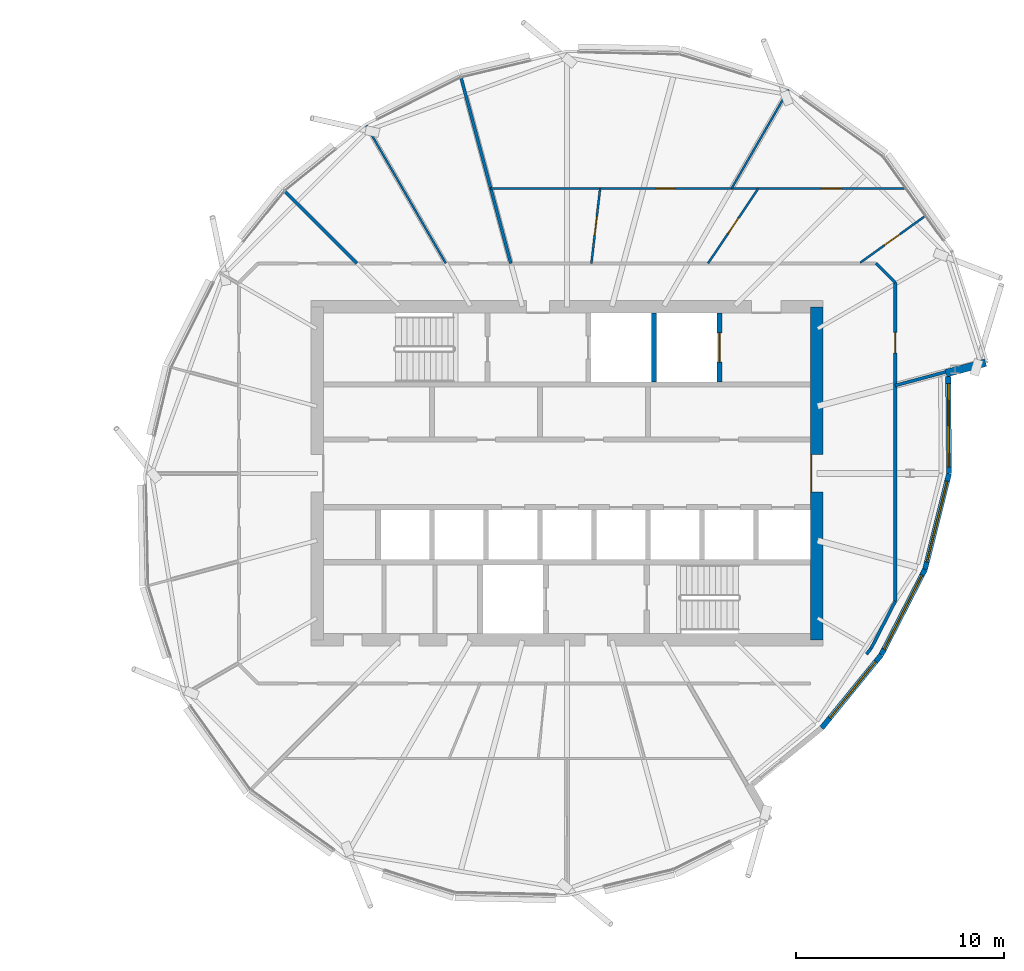
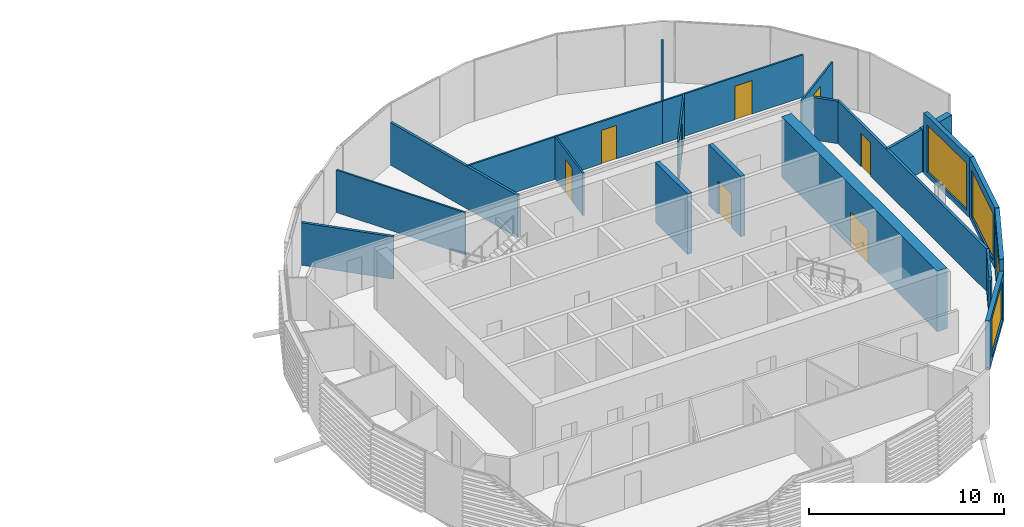
# One storey, part 23 of 36: 22 walls, 8 doors, 4 windows, 12 openings.
"""IFC4 building model written with IfcOpenShell, lengths in metres."""

from ifc_helpers import new_model, si_unit, direction, frame, frame_2d, origin, place, context, subcontext, project, spatial, rectangle, extrude, material, layer, layer_set, type_object, element, fill, save


model = new_model("IFC4")

# Units and contexts
model_context = context("Model", 3, precision=1e-05, world=origin(), true_north=direction((0.0, 1.0)))
body_context = subcontext(model_context, "Body", "Model", "MODEL_VIEW")
ifc_project = project(units=[si_unit("LENGTHUNIT", "METRE"), si_unit("AREAUNIT", "SQUARE_METRE"), si_unit("VOLUMEUNIT", "CUBIC_METRE"), si_unit("PLANEANGLEUNIT", "RADIAN"), si_unit("MASSUNIT", "GRAM", prefix="KILO")], contexts=[model_context])

# Site, building, storey
site_placement = place(None, origin())
site = spatial("IfcSite", under=ifc_project, at=site_placement, CompositionType="ELEMENT")
building_placement = place(site_placement, origin())
building = spatial("IfcBuilding", under=site, at=building_placement, Name="Rimbun Link Towers", CompositionType="ELEMENT")
storey_placement = place(building_placement, frame((0.0, 0.0, 200.699951171875)))
storey = spatial("IfcBuildingStorey", under=building, at=storey_placement, Name="L49", CompositionType="ELEMENT", Elevation=200.699951171875)

# Wall, opening, window
ifc_material_1 = material(Name="Dark enamelled glass spandrel on insulated aluminium backpan", Category="aluminium")
ifc_layer_1 = layer(ifc_material_1, 0.25)
ifc_layer_set_1 = layer_set([ifc_layer_1], Name="CS dark enamelled spandrel wall 250")
wall_type_1 = type_object("IfcWallType", Name="CS dark enamelled spandrel wall 250", PredefinedType="STANDARD", material=ifc_layer_set_1)
wall_1_placement = place(storey_placement, frame((46.84912109375, -8.725341796875, 0.0), z_axis=(0.0, 0.0, 1.0), x_axis=(-0.63152540021, -0.775355188858, 0.0)))
wall_1 = element("IfcWall", 1, at=wall_1_placement, inside=storey, type_object=wall_type_1, Name="Crease spandrel wall", PredefinedType="STANDARD", context=body_context, shape_type="SweptSolid", body=[
    extrude(rectangle(XDim=4.530517578125, YDim=0.25, at=frame_2d((2.26513671875, 0.0))), origin(), (0.0, 0.0, 1.0), 3.05712890625),
])
opening_1_placement = place(wall_1_placement, frame((0.404296875, 0.0, 0.300048828125)))
opening_1 = element("IfcOpeningElement", 2, at=opening_1_placement, cuts=wall_1, Name="Opening WR35H245", PredefinedType="OPENING", context=body_context, shape_type="SweptSolid", body=[
    extrude(rectangle(XDim=3.5, YDim=2.449951171875, at=frame_2d((1.75, 1.22509765625))), frame((0.0, 0.135009765625, 0.0), z_axis=(0.0, -1.0, 0.0), x_axis=(1.0, 0.0, 0.0)), (0.0, 0.0, 1.0), 0.27001953125),
])
ifc_material_2 = material(Name="Aluminium framed fixed window, dark tinted low-e glass", Category="aluminium")
window_type_1 = type_object("IfcWindowType", Name="WR ribbon window 3500X2450", PartitioningType="SINGLE_PANEL", PredefinedType="WINDOW", material=ifc_material_2)
window_1_placement = place(opening_1_placement, origin())
window_1 = element("IfcWindow", 3, at=window_1_placement, inside=storey, type_object=window_type_1, Name="Crease ribbon window", OverallHeight=2.449951171875, OverallWidth=3.5, PartitioningType="SINGLE_PANEL", PredefinedType="WINDOW", context=body_context, shape_type="SweptSolid", body=[
    extrude(rectangle(XDim=3.5, YDim=2.449951171875, at=frame_2d((1.75, 1.22509765625))), frame((0.0, 0.030029296875, 0.0), z_axis=(0.0, -1.0, 0.0), x_axis=(1.0, 0.0, 0.0)), (0.0, 0.0, 1.0), 0.06005859375),
])
fill(opening_1, window_1)

wall_2_placement = place(storey_placement, frame((48.952392578125, -4.6220703125, 0.0), z_axis=(0.0, 0.0, 1.0), x_axis=(-0.456150021811, -0.889902892232, 0.0)))
wall_2 = element("IfcWall", 4, at=wall_2_placement, inside=storey, type_object=wall_type_1, Name="Crease spandrel wall", PredefinedType="STANDARD", context=body_context, shape_type="SweptSolid", body=[
    extrude(rectangle(XDim=4.61083984375, YDim=0.25, at=frame_2d((2.305419921875, 0.0))), origin(), (0.0, 0.0, 1.0), 3.800048828125),
])
opening_2_placement = place(wall_2_placement, frame((0.305419921875, 0.0, 0.300048828125)))
opening_2 = element("IfcOpeningElement", 5, at=opening_2_placement, cuts=wall_2, Name="Opening WR40H295", PredefinedType="OPENING", context=body_context, shape_type="SweptSolid", body=[
    extrude(rectangle(XDim=4.0, YDim=2.949951171875, at=frame_2d((2.0, 1.47509765625))), frame((0.0, 0.135009765625, 0.0), z_axis=(0.0, -1.0, 0.0), x_axis=(1.0, 0.0, 0.0)), (0.0, 0.0, 1.0), 0.27001953125),
])
ifc_material_3 = material(Name="Aluminium framed fixed window, dark tinted low-e glass", Category="aluminium")
window_type_2 = type_object("IfcWindowType", Name="WR ribbon window 4000X2950", PartitioningType="SINGLE_PANEL", PredefinedType="WINDOW", material=ifc_material_3)
window_2_placement = place(opening_2_placement, origin())
window_2 = element("IfcWindow", 6, at=window_2_placement, inside=storey, type_object=window_type_2, Name="Crease ribbon window", OverallHeight=2.949951171875, OverallWidth=4.0, PartitioningType="SINGLE_PANEL", PredefinedType="WINDOW", context=body_context, shape_type="SweptSolid", body=[
    extrude(rectangle(XDim=4.0, YDim=2.949951171875, at=frame_2d((2.0, 1.47509765625))), frame((0.0, 0.030029296875, 0.0), z_axis=(0.0, -1.0, 0.0), x_axis=(1.0, 0.0, 0.0)), (0.0, 0.0, 1.0), 0.06005859375),
])
fill(opening_2, window_2)

wall_3_placement = place(storey_placement, frame((50.1103515625, -0.014892578125, 0.0), z_axis=(0.0, 0.0, 1.0), x_axis=(-0.243756771227, -0.96983639676, 0.0)))
wall_3 = element("IfcWall", 7, at=wall_3_placement, inside=storey, type_object=wall_type_1, Name="Crease spandrel wall", PredefinedType="STANDARD", context=body_context, shape_type="SweptSolid", body=[
    extrude(rectangle(XDim=4.75048828125, YDim=0.25, at=frame_2d((2.375244140625, 0.0))), origin(), (0.0, 0.0, 1.0), 3.800048828125),
])
opening_3_placement = place(wall_3_placement, frame((0.375244140625, 0.0, 0.300048828125)))
opening_3 = element("IfcOpeningElement", 8, at=opening_3_placement, cuts=wall_3, Name="Opening WR40H295", PredefinedType="OPENING", context=body_context, shape_type="SweptSolid", body=[
    extrude(rectangle(XDim=4.0, YDim=2.949951171875, at=frame_2d((2.0, 1.47509765625))), frame((0.0, 0.135009765625, 0.0), z_axis=(0.0, -1.0, 0.0), x_axis=(1.0, 0.0, 0.0)), (0.0, 0.0, 1.0), 0.27001953125),
])
window_3_placement = place(opening_3_placement, origin())
window_3 = element("IfcWindow", 9, at=window_3_placement, inside=storey, type_object=window_type_2, Name="Crease ribbon window", OverallHeight=2.949951171875, OverallWidth=4.0, PartitioningType="SINGLE_PANEL", PredefinedType="WINDOW", context=body_context, shape_type="SweptSolid", body=[
    extrude(rectangle(XDim=4.0, YDim=2.949951171875, at=frame_2d((2.0, 1.47509765625))), frame((0.0, 0.030029296875, 0.0), z_axis=(0.0, -1.0, 0.0), x_axis=(1.0, 0.0, 0.0)), (0.0, 0.0, 1.0), 0.06005859375),
])
fill(opening_3, window_3)

wall_4_placement = place(storey_placement, frame((50.066650390625, 4.649169921875, 0.0), z_axis=(0.0, 0.0, 1.0), x_axis=(0.009369354224, -0.999956106637, 0.0)))
wall_4 = element("IfcWall", 10, at=wall_4_placement, inside=storey, type_object=wall_type_1, Name="Crease spandrel wall", PredefinedType="STANDARD", context=body_context, shape_type="SweptSolid", body=[
    extrude(rectangle(XDim=4.664306640625, YDim=0.25, at=frame_2d((2.33203125, 0.0))), origin(), (0.0, 0.0, 1.0), 3.800048828125),
])
opening_4_placement = place(wall_4_placement, frame((0.33203125, 0.0, 0.300048828125)))
opening_4 = element("IfcOpeningElement", 11, at=opening_4_placement, cuts=wall_4, Name="Opening WR40H295", PredefinedType="OPENING", context=body_context, shape_type="SweptSolid", body=[
    extrude(rectangle(XDim=4.0, YDim=2.949951171875, at=frame_2d((2.0, 1.47509765625))), frame((0.0, 0.135009765625, 0.0), z_axis=(0.0, -1.0, 0.0), x_axis=(1.0, 0.0, 0.0)), (0.0, 0.0, 1.0), 0.27001953125),
])
window_4_placement = place(opening_4_placement, origin())
window_4 = element("IfcWindow", 12, at=window_4_placement, inside=storey, type_object=window_type_2, Name="Crease ribbon window", OverallHeight=2.949951171875, OverallWidth=4.0, PartitioningType="SINGLE_PANEL", PredefinedType="WINDOW", context=body_context, shape_type="SweptSolid", body=[
    extrude(rectangle(XDim=4.0, YDim=2.949951171875, at=frame_2d((2.0, 1.47509765625))), frame((0.0, 0.030029296875, 0.0), z_axis=(0.0, -1.0, 0.0), x_axis=(1.0, 0.0, 0.0)), (0.0, 0.0, 1.0), 0.06005859375),
])
fill(opening_4, window_4)

# Wall
ifc_material_4 = material(Name="Dark enamelled glass spandrel on insulated aluminium backpan", Category="aluminium")
ifc_layer_2 = layer(ifc_material_4, 0.3701171875)
ifc_layer_set_2 = layer_set([ifc_layer_2], Name="CS dark enamelled spandrel wall 370")
wall_type_2 = type_object("IfcWallType", Name="CS dark enamelled spandrel wall 370", PredefinedType="STANDARD", material=ifc_layer_set_2)
wall_5_placement = place(storey_placement, frame((51.868896484375, 5.323486328125, 0.0), z_axis=(0.0, 0.0, 1.0), x_axis=(-0.965921079275, -0.258836760551, 0.0)))
element("IfcWall", 13, at=wall_5_placement, inside=storey, type_object=wall_type_2, Name="Crease spandrel wall", PredefinedType="STANDARD", context=body_context, shape_type="SweptSolid", body=[
    extrude(rectangle(XDim=1.979736328125, YDim=0.3701171875, at=frame_2d((0.98974609375, 0.0))), origin(), (0.0, 0.0, 1.0), 2.671630859375),
])

# Wall, opening, door
ifc_material_5 = material(Name="Concrete C60/75", Category="concrete")
ifc_layer_3 = layer(ifc_material_5, 0.60009765625)
ifc_layer_set_3 = layer_set([ifc_layer_3], Name="Core shear wall 600")
wall_type_3 = type_object("IfcWallType", Name="Core shear wall 600", PredefinedType="SHEAR", material=ifc_layer_set_3)
wall_6_placement = place(storey_placement, frame((43.75, -8.0, 0.0), z_axis=(0.0, 0.0, 1.0), x_axis=(0.0, 1.0, 0.0)))
wall_6 = element("IfcWall", 14, at=wall_6_placement, inside=storey, type_object=wall_type_3, Name="L49 T2 core wall E", PredefinedType="SHEAR", context=body_context, shape_type="SweptSolid", body=[
    extrude(rectangle(XDim=16.0, YDim=0.60009765625, at=frame_2d((8.0, 0.0))), origin(), (0.0, 0.0, 1.0), 3.800048828125),
])
opening_5_placement = place(wall_6_placement, frame((7.10009765625, 0.0, 0.0)))
opening_5 = element("IfcOpeningElement", 15, at=opening_5_placement, cuts=wall_6, Name="Opening C2DCL01E", PredefinedType="OPENING", context=body_context, shape_type="SweptSolid", body=[
    extrude(rectangle(XDim=1.800048828125, YDim=2.10009765625, at=frame_2d((0.89990234375, 1.050048828125))), frame((0.0, 0.31005859375, 0.0), z_axis=(0.0, -1.0, 0.0), x_axis=(1.0, 0.0, 0.0)), (0.0, 0.0, 1.0), 0.6201171875),
])
ifc_material_6 = material(Name="Steel fire door set", Category="steel")
door_type_1 = type_object("IfcDoorType", Name="Core lobby door double", OperationType="DOUBLE_DOOR_SINGLE_SWING", PredefinedType="DOOR", material=ifc_material_6)
door_1_placement = place(opening_5_placement, origin())
door_1 = element("IfcDoor", 16, at=door_1_placement, inside=storey, type_object=door_type_1, Name="L49 T2 lift lobby door", OperationType="DOUBLE_DOOR_SINGLE_SWING", OverallHeight=2.10009765625, OverallWidth=1.800048828125, PredefinedType="DOOR", context=body_context, shape_type="SweptSolid", body=[
    extrude(rectangle(XDim=1.800048828125, YDim=2.10009765625, at=frame_2d((0.89990234375, 1.050048828125))), frame((0.0, 0.2998046875, 0.0), z_axis=(0.0, -1.0, 0.0), x_axis=(1.0, 0.0, 0.0)), (0.0, 0.0, 1.0), 0.050048828125),
])
fill(opening_5, door_1)

ifc_material_7 = material(Name="Plasterboard on steel stud, mineral wool", Category="steel")
ifc_layer_4 = layer(ifc_material_7, 0.14990234375)
ifc_layer_set_4 = layer_set([ifc_layer_4], Name="Corridor wall EI 30 150 mm")
wall_type_4 = type_object("IfcWallType", Name="Corridor wall EI 30 150 mm", PredefinedType="PARTITIONING", material=ifc_layer_set_4)
wall_7_placement = place(storey_placement, frame((47.52490234375, 9.173583984375, 0.0), z_axis=(0.0, 0.0, 1.0), x_axis=(0.0, -1.0, 0.0)))
wall_7 = element("IfcWall", 17, at=wall_7_placement, inside=storey, type_object=wall_type_4, Name="Corridor wall EI 30 150 mm", PredefinedType="PARTITIONING", context=body_context, shape_type="SweptSolid", body=[
    extrude(rectangle(XDim=15.31982421875, YDim=0.14990234375, at=frame_2d((7.659912109375, 0.0))), origin(), (0.0, 0.0, 1.0), 2.662109375),
])
opening_6_placement = place(wall_7_placement, frame((2.395263671875, 0.0, 0.0)))
opening_6 = element("IfcOpeningElement", 18, at=opening_6_placement, cuts=wall_7, Name="Opening D01", PredefinedType="OPENING", context=body_context, shape_type="SweptSolid", body=[
    extrude(rectangle(XDim=1.0, YDim=2.10009765625, at=frame_2d((0.5, 1.050048828125))), frame((0.0, 0.0849609375, 0.0), z_axis=(0.0, -1.0, 0.0), x_axis=(1.0, 0.0, 0.0)), (0.0, 0.0, 1.0), 0.169921875),
])
ifc_material_8 = material(Name="Fire-resisting timber door leaf", Category="wood")
door_type_2 = type_object("IfcDoorType", Name="Fire door FD30S 1000", OperationType="NOTDEFINED", PredefinedType="DOOR", material=ifc_material_8)
door_2_placement = place(opening_6_placement, origin())
door_2 = element("IfcDoor", 19, at=door_2_placement, inside=storey, type_object=door_type_2, Name="Fire door FD30S 1000 to Tenant lobby", OperationType="SINGLE_SWING_LEFT", OverallHeight=2.10009765625, OverallWidth=1.0, PredefinedType="DOOR", context=body_context, shape_type="SweptSolid", body=[
    extrude(rectangle(XDim=1.0, YDim=2.10009765625, at=frame_2d((0.5, 1.050048828125))), frame((0.0, 0.02490234375, 0.0), z_axis=(0.0, -1.0, 0.0), x_axis=(1.0, 0.0, 0.0)), (0.0, 0.0, 1.0), 0.050048828125),
])
fill(opening_6, door_2)

# Walls
wall_8_placement = place(storey_placement, frame((46.364990234375, -8.4091796875, 0.0), z_axis=(0.0, 0.0, 1.0), x_axis=(0.45613926408, 0.88990840639, 0.0)))
element("IfcWall", 20, at=wall_8_placement, inside=storey, type_object=wall_type_4, Name="Corridor wall EI 30 150 mm", PredefinedType="PARTITIONING", context=body_context, shape_type="SweptSolid", body=[
    extrude(rectangle(XDim=2.54296875, YDim=0.14990234375, at=frame_2d((1.271484375, 0.0))), origin(), (0.0, 0.0, 1.0), 2.662109375),
])
wall_9_placement = place(storey_placement, frame((46.136962890625, -8.689208984375, 0.0), z_axis=(0.0, 0.0, 1.0), x_axis=(0.631432150482, 0.775431131267, 0.0)))
element("IfcWall", 21, at=wall_9_placement, inside=storey, type_object=wall_type_4, Name="Corridor wall EI 30 150 mm", PredefinedType="PARTITIONING", context=body_context, shape_type="SweptSolid", body=[
    extrude(rectangle(XDim=0.361083984375, YDim=0.14990234375, at=frame_2d((0.1806640625, 0.0))), origin(), (0.0, 0.0, 1.0), 2.662109375),
])
wall_10_placement = place(storey_placement, frame((47.52490234375, 9.173583984375, 0.0), z_axis=(0.0, 0.0, 1.0), x_axis=(-0.707013081223, 0.707200468735, 0.0)))
element("IfcWall", 22, at=wall_10_placement, inside=storey, type_object=wall_type_4, Name="Corridor wall EI 30 150 mm", PredefinedType="PARTITIONING", context=body_context, shape_type="SweptSolid", body=[
    extrude(rectangle(XDim=1.302978515625, YDim=0.14990234375, at=frame_2d((0.6513671875, 0.0))), origin(), (0.0, 0.0, 1.0), 2.662109375),
])

# Wall, opening, door
ifc_material_9 = material(Name="Plasterboard on steel stud", Category="steel")
ifc_layer_5 = layer(ifc_material_9, 0.10009765625)
ifc_layer_set_5 = layer_set([ifc_layer_5], Name="Plasterboard partition 100 mm")
wall_type_5 = type_object("IfcWallType", Name="Plasterboard partition 100 mm", PredefinedType="PARTITIONING", material=ifc_layer_set_5)
wall_11_placement = place(storey_placement, frame((45.835693359375, 10.125, 0.0), z_axis=(0.0, 0.0, 1.0), x_axis=(0.812012555173, 0.583639966282, 0.0)))
wall_11 = element("IfcWall", 23, at=wall_11_placement, inside=storey, type_object=wall_type_5, Name="Plasterboard partition 100 mm", PredefinedType="PARTITIONING", context=body_context, shape_type="SweptSolid", body=[
    extrude(rectangle(XDim=3.851806640625, YDim=0.10009765625, at=frame_2d((1.92578125, 0.0))), origin(), (0.0, 0.0, 1.0), 2.662109375),
])
opening_7_placement = place(wall_11_placement, frame((1.4501953125, 0.0, 0.0)))
opening_7 = element("IfcOpeningElement", 24, at=opening_7_placement, cuts=wall_11, Name="Opening D04", PredefinedType="OPENING", context=body_context, shape_type="SweptSolid", body=[
    extrude(rectangle(XDim=0.89990234375, YDim=2.10009765625, at=frame_2d((0.449951171875, 1.050048828125))), frame((0.0, 0.06005859375, 0.0), z_axis=(0.0, -1.0, 0.0), x_axis=(1.0, 0.0, 0.0)), (0.0, 0.0, 1.0), 0.1201171875),
])
ifc_material_10 = material(Name="Timber door leaf", Category="wood")
door_type_3 = type_object("IfcDoorType", Name="Flush door 900", OperationType="NOTDEFINED", PredefinedType="DOOR", material=ifc_material_10)
door_3_placement = place(opening_7_placement, origin())
door_3 = element("IfcDoor", 25, at=door_3_placement, inside=storey, type_object=door_type_3, Name="Flush door 900 to Huddle room", OperationType="SINGLE_SWING_RIGHT", OverallHeight=2.10009765625, OverallWidth=0.89990234375, PredefinedType="DOOR", context=body_context, shape_type="SweptSolid", body=[
    extrude(rectangle(XDim=0.89990234375, YDim=2.10009765625, at=frame_2d((0.449951171875, 1.050048828125))), frame((0.0, 0.02490234375, 0.0), z_axis=(0.0, -1.0, 0.0), x_axis=(1.0, 0.0, 0.0)), (0.0, 0.0, 1.0), 0.050048828125),
])
fill(opening_7, door_3)

wall_12_placement = place(storey_placement, frame((38.525146484375, 10.094970703125, 0.0), z_axis=(0.0, 0.0, 1.0), x_axis=(0.557244545646, 0.830348430689, 0.0)))
wall_12 = element("IfcWall", 26, at=wall_12_placement, inside=storey, type_object=wall_type_5, Name="Plasterboard partition 100 mm", PredefinedType="PARTITIONING", context=body_context, shape_type="SweptSolid", body=[
    extrude(rectangle(XDim=4.335693359375, YDim=0.10009765625, at=frame_2d((2.16796875, 0.0))), origin(), (0.0, 0.0, 1.0), 2.662109375),
])
opening_8_placement = place(wall_12_placement, frame((1.7177734375, 0.0, 0.0)))
opening_8 = element("IfcOpeningElement", 27, at=opening_8_placement, cuts=wall_12, Name="Opening D04", PredefinedType="OPENING", context=body_context, shape_type="SweptSolid", body=[
    extrude(rectangle(XDim=0.89990234375, YDim=2.10009765625, at=frame_2d((0.449951171875, 1.050048828125))), frame((0.0, 0.06005859375, 0.0), z_axis=(0.0, -1.0, 0.0), x_axis=(1.0, 0.0, 0.0)), (0.0, 0.0, 1.0), 0.1201171875),
])
door_4_placement = place(opening_8_placement, origin())
door_4 = element("IfcDoor", 28, at=door_4_placement, inside=storey, type_object=door_type_3, Name="Flush door 900 to Huddle room", OperationType="SINGLE_SWING_RIGHT", OverallHeight=2.10009765625, OverallWidth=0.89990234375, PredefinedType="DOOR", context=body_context, shape_type="SweptSolid", body=[
    extrude(rectangle(XDim=0.89990234375, YDim=2.10009765625, at=frame_2d((0.449951171875, 1.050048828125))), frame((0.0, 0.02490234375, 0.0), z_axis=(0.0, -1.0, 0.0), x_axis=(1.0, 0.0, 0.0)), (0.0, 0.0, 1.0), 0.050048828125),
])
fill(opening_8, door_4)

wall_13_placement = place(storey_placement, frame((39.65673828125, 13.695068359375, 0.0), z_axis=(0.0, 0.0, 1.0), x_axis=(1.0, 0.0, 0.0)))
wall_13 = element("IfcWall", 29, at=wall_13_placement, inside=storey, type_object=wall_type_5, Name="Plasterboard partition 100 mm", PredefinedType="PARTITIONING", context=body_context, shape_type="SweptSolid", body=[
    extrude(rectangle(XDim=8.35791015625, YDim=0.10009765625, at=frame_2d((4.178955078125, 0.0))), origin(), (0.0, 0.0, 1.0), 2.662109375),
])
opening_9_placement = place(wall_13_placement, frame((4.302978515625, 0.0, 0.0)))
opening_9 = element("IfcOpeningElement", 30, at=opening_9_placement, cuts=wall_13, Name="Opening D03", PredefinedType="OPENING", context=body_context, shape_type="SweptSolid", body=[
    extrude(rectangle(XDim=1.0, YDim=2.10009765625, at=frame_2d((0.5, 1.050048828125))), frame((0.0, 0.06005859375, 0.0), z_axis=(0.0, -1.0, 0.0), x_axis=(1.0, 0.0, 0.0)), (0.0, 0.0, 1.0), 0.1201171875),
])
ifc_material_11 = material(Name="Timber door leaf", Category="wood")
door_type_4 = type_object("IfcDoorType", Name="Flush door 1000", OperationType="NOTDEFINED", PredefinedType="DOOR", material=ifc_material_11)
door_5_placement = place(opening_9_placement, origin())
door_5 = element("IfcDoor", 31, at=door_5_placement, inside=storey, type_object=door_type_4, Name="Flush door 1000 to Open office", OperationType="SINGLE_SWING_RIGHT", OverallHeight=2.10009765625, OverallWidth=1.0, PredefinedType="DOOR", context=body_context, shape_type="SweptSolid", body=[
    extrude(rectangle(XDim=1.0, YDim=2.10009765625, at=frame_2d((0.5, 1.050048828125))), frame((0.0, 0.02490234375, 0.0), z_axis=(0.0, -1.0, 0.0), x_axis=(1.0, 0.0, 0.0)), (0.0, 0.0, 1.0), 0.050048828125),
])
fill(opening_9, door_5)

wall_14_placement = place(storey_placement, frame((32.919921875, 10.094970703125, 0.0), z_axis=(0.0, 0.0, 1.0), x_axis=(0.11512524295, 0.993350984514, 0.0)))
wall_14 = element("IfcWall", 32, at=wall_14_placement, inside=storey, type_object=wall_type_5, Name="Plasterboard partition 100 mm", PredefinedType="PARTITIONING", context=body_context, shape_type="SweptSolid", body=[
    extrude(rectangle(XDim=3.624267578125, YDim=0.10009765625, at=frame_2d((1.81201171875, 0.0))), origin(), (0.0, 0.0, 1.0), 2.662109375),
])
opening_10_placement = place(wall_14_placement, frame((1.362060546875, 0.0, 0.0)))
opening_10 = element("IfcOpeningElement", 33, at=opening_10_placement, cuts=wall_14, Name="Opening D04", PredefinedType="OPENING", context=body_context, shape_type="SweptSolid", body=[
    extrude(rectangle(XDim=0.89990234375, YDim=2.10009765625, at=frame_2d((0.449951171875, 1.050048828125))), frame((0.0, 0.06005859375, 0.0), z_axis=(0.0, -1.0, 0.0), x_axis=(1.0, 0.0, 0.0)), (0.0, 0.0, 1.0), 0.1201171875),
])
door_6_placement = place(opening_10_placement, origin())
door_6 = element("IfcDoor", 34, at=door_6_placement, inside=storey, type_object=door_type_3, Name="Flush door 900 to Pantry", OperationType="SINGLE_SWING_LEFT", OverallHeight=2.10009765625, OverallWidth=0.89990234375, PredefinedType="DOOR", context=body_context, shape_type="SweptSolid", body=[
    extrude(rectangle(XDim=0.89990234375, YDim=2.10009765625, at=frame_2d((0.449951171875, 1.050048828125))), frame((0.0, 0.02490234375, 0.0), z_axis=(0.0, -1.0, 0.0), x_axis=(1.0, 0.0, 0.0)), (0.0, 0.0, 1.0), 0.050048828125),
])
fill(opening_10, door_6)

wall_15_placement = place(storey_placement, frame((28.08056640625, 13.695068359375, 0.0), z_axis=(0.0, 0.0, 1.0), x_axis=(1.0, 0.0, 0.0)))
wall_15 = element("IfcWall", 35, at=wall_15_placement, inside=storey, type_object=wall_type_5, Name="Plasterboard partition 100 mm", PredefinedType="PARTITIONING", context=body_context, shape_type="SweptSolid", body=[
    extrude(rectangle(XDim=11.576171875, YDim=0.10009765625, at=frame_2d((5.7880859375, 0.0))), origin(), (0.0, 0.0, 1.0), 2.662109375),
])
opening_11_placement = place(wall_15_placement, frame((7.951416015625, 0.0, 0.0)))
opening_11 = element("IfcOpeningElement", 36, at=opening_11_placement, cuts=wall_15, Name="Opening D04", PredefinedType="OPENING", context=body_context, shape_type="SweptSolid", body=[
    extrude(rectangle(XDim=0.89990234375, YDim=2.10009765625, at=frame_2d((0.449951171875, 1.050048828125))), frame((0.0, 0.06005859375, 0.0), z_axis=(0.0, -1.0, 0.0), x_axis=(1.0, 0.0, 0.0)), (0.0, 0.0, 1.0), 0.1201171875),
])
door_7_placement = place(opening_11_placement, origin())
door_7 = element("IfcDoor", 37, at=door_7_placement, inside=storey, type_object=door_type_3, Name="Flush door 900 to Project room", OperationType="SINGLE_SWING_LEFT", OverallHeight=2.10009765625, OverallWidth=0.89990234375, PredefinedType="DOOR", context=body_context, shape_type="SweptSolid", body=[
    extrude(rectangle(XDim=0.89990234375, YDim=2.10009765625, at=frame_2d((0.449951171875, 1.050048828125))), frame((0.0, 0.02490234375, 0.0), z_axis=(0.0, -1.0, 0.0), x_axis=(1.0, 0.0, 0.0)), (0.0, 0.0, 1.0), 0.050048828125),
])
fill(opening_11, door_7)

# Walls
wall_16_placement = place(storey_placement, frame((42.4013671875, 18.44873046875, 0.0), z_axis=(0.0, 0.0, 1.0), x_axis=(-0.500013773731, -0.866017451371, 0.0)))
element("IfcWall", 38, at=wall_16_placement, inside=storey, type_object=wall_type_5, Name="Plasterboard partition 100 mm", PredefinedType="PARTITIONING", context=body_context, shape_type="SweptSolid", body=[
    extrude(rectangle(XDim=5.489013671875, YDim=0.10009765625, at=frame_2d((2.74462890625, 0.0))), origin(), (0.0, 0.0, 1.0), 2.662109375),
])
wall_17_placement = place(storey_placement, frame((22.09326171875, 16.725830078125, 0.0), z_axis=(0.0, 0.0, 1.0), x_axis=(0.500003986271, -0.866023102297, 0.0)))
element("IfcWall", 39, at=wall_17_placement, inside=storey, type_object=wall_type_5, Name="Plasterboard partition 100 mm", PredefinedType="PARTITIONING", context=body_context, shape_type="SweptSolid", body=[
    extrude(rectangle(XDim=7.65673828125, YDim=0.10009765625, at=frame_2d((3.828369140625, 0.0))), origin(), (0.0, 0.0, 1.0), 2.662109375),
])
ifc_material_12 = material(Name="Concrete C60/75", Category="concrete")
ifc_layer_6 = layer(ifc_material_12, 0.25)
ifc_layer_set_6 = layer_set([ifc_layer_6], Name="Shaft wall 250")
wall_type_6 = type_object("IfcWallType", Name="Shaft wall 250", PredefinedType="SHEAR", material=ifc_layer_set_6)
wall_18_placement = place(storey_placement, frame((35.925048828125, 4.39990234375, 0.0), z_axis=(0.0, 0.0, 1.0), x_axis=(0.0, 1.0, 0.0)))
element("IfcWall", 40, at=wall_18_placement, inside=storey, type_object=wall_type_6, Name="L49 T2 core wall A3", PredefinedType="SHEAR", context=body_context, shape_type="SweptSolid", body=[
    extrude(rectangle(XDim=3.300048828125, YDim=0.25, at=frame_2d((1.64990234375, 0.0))), origin(), (0.0, 0.0, 1.0), 3.800048828125),
])

# Wall, opening, door
wall_19_placement = place(storey_placement, frame((39.074951171875, 4.39990234375, 0.0), z_axis=(0.0, 0.0, 1.0), x_axis=(0.0, 1.0, 0.0)))
wall_19 = element("IfcWall", 41, at=wall_19_placement, inside=storey, type_object=wall_type_6, Name="L49 T2 core wall A4", PredefinedType="SHEAR", context=body_context, shape_type="SweptSolid", body=[
    extrude(rectangle(XDim=3.300048828125, YDim=0.25, at=frame_2d((1.64990234375, 0.0))), origin(), (0.0, 0.0, 1.0), 3.800048828125),
])
opening_12_placement = place(wall_19_placement, frame((0.949951171875, 0.0, 0.0)))
opening_12 = element("IfcOpeningElement", 42, at=opening_12_placement, cuts=wall_19, Name="Opening LD-T2-GL1", PredefinedType="OPENING", context=body_context, shape_type="SweptSolid", body=[
    extrude(rectangle(XDim=1.39990234375, YDim=2.10009765625, at=frame_2d((0.699951171875, 1.050048828125))), frame((0.0, 0.135009765625, 0.0), z_axis=(0.0, -1.0, 0.0), x_axis=(1.0, 0.0, 0.0)), (0.0, 0.0, 1.0), 0.27001953125),
])
ifc_material_13 = material(Name="Stainless steel grade 316", Category="steel")
door_type_5 = type_object("IfcDoorType", Name="Goods lift landing door", OperationType="DOUBLE_DOOR_SLIDING", PredefinedType="DOOR", material=ifc_material_13)
door_8_placement = place(opening_12_placement, origin())
door_8 = element("IfcDoor", 43, at=door_8_placement, inside=storey, type_object=door_type_5, Name="L49 T2 lift GL1 landing door", OperationType="DOUBLE_DOOR_SLIDING", OverallHeight=2.10009765625, OverallWidth=1.39990234375, PredefinedType="DOOR", context=body_context, shape_type="SweptSolid", body=[
    extrude(rectangle(XDim=1.39990234375, YDim=2.10009765625, at=frame_2d((0.699951171875, 1.050048828125))), frame((0.0, 0.02490234375, 0.0), z_axis=(0.0, -1.0, 0.0), x_axis=(1.0, 0.0, 0.0)), (0.0, 0.0, 1.0), 0.050048828125),
])
fill(opening_12, door_8)

# Walls
ifc_material_14 = material(Name="Plasterboard on steel stud, mineral wool", Category="steel")
ifc_layer_7 = layer(ifc_material_14, 0.14990234375)
ifc_layer_set_7 = layer_set([ifc_layer_7], Name="Tenancy separation wall EI 60 150 mm")
wall_type_7 = type_object("IfcWallType", Name="Tenancy separation wall EI 60 150 mm", PredefinedType="PARTITIONING", material=ifc_layer_set_7)
wall_20_placement = place(storey_placement, frame((29.045166015625, 10.094970703125, 0.0), z_axis=(0.0, 0.0, 1.0), x_axis=(-0.258833857625, 0.965921857164, 0.0)))
element("IfcWall", 44, at=wall_20_placement, inside=storey, type_object=wall_type_7, Name="Tenancy separation wall EI 60 150 mm", PredefinedType="PARTITIONING", context=body_context, shape_type="SweptSolid", body=[
    extrude(rectangle(XDim=9.236083984375, YDim=0.14990234375, at=frame_2d((4.6181640625, 0.0))), origin(), (0.0, 0.0, 1.0), 2.662109375),
])
wall_21_placement = place(storey_placement, frame((21.655029296875, 10.094970703125, 0.0), z_axis=(0.0, 0.0, 1.0), x_axis=(-0.707106781187, 0.707106781187, 0.0)))
element("IfcWall", 45, at=wall_21_placement, inside=storey, type_object=wall_type_7, Name="Tenancy separation wall EI 60 150 mm", PredefinedType="PARTITIONING", context=body_context, shape_type="SweptSolid", body=[
    extrude(rectangle(XDim=4.9052734375, YDim=0.14990234375, at=frame_2d((2.45263671875, 0.0))), origin(), (0.0, 0.0, 1.0), 2.662109375),
])
wall_22_placement = place(storey_placement, frame((47.52490234375, 4.226806640625, 0.0), z_axis=(0.0, 0.0, 1.0), x_axis=(0.965932795341, 0.258793034845, 0.0)))
element("IfcWall", 46, at=wall_22_placement, inside=storey, type_object=wall_type_7, Name="Tenancy separation wall EI 60 150 mm", PredefinedType="PARTITIONING", context=body_context, shape_type="SweptSolid", body=[
    extrude(rectangle(XDim=2.5, YDim=0.14990234375, at=frame_2d((1.25, 0.0))), origin(), (0.0, 0.0, 1.0), 2.662109375),
])

save(model, "model.ifc")
